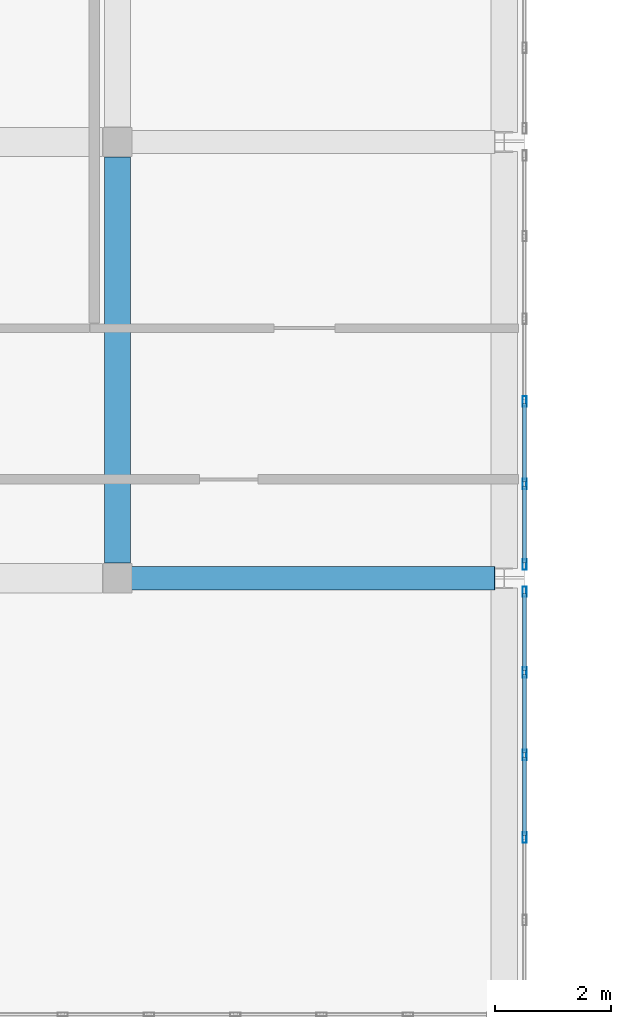
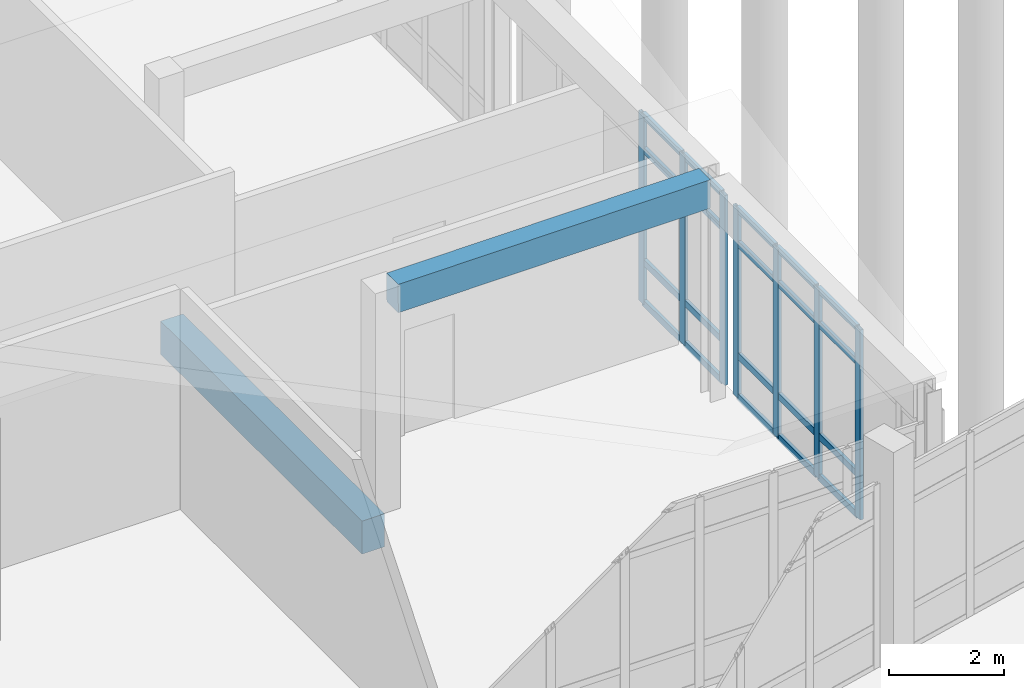
# One storey, part 104 of 173: 27 members, 2 beams, 2 elements without a shape of their own.
"""IFC4 building model written with IfcOpenShell, lengths in metres."""

from ifc_helpers import new_model, si_unit, direction, frame, origin, origin_2d, place, context, subcontext, project, spatial, rectangle, hollow_rectangle, extrude, material, layer, layer_set, material_profile, profile_set, type_object, element, aggregate, save


model = new_model("IFC4")

# Units and contexts
model_context = context("Model", 3, precision=1e-05, world=origin(), true_north=direction((0.0, 1.0)))
body_context = subcontext(model_context, "Body", "Model", "MODEL_VIEW")
ifc_project = project(units=[si_unit("LENGTHUNIT", "METRE"), si_unit("AREAUNIT", "SQUARE_METRE"), si_unit("VOLUMEUNIT", "CUBIC_METRE"), si_unit("PLANEANGLEUNIT", "RADIAN"), si_unit("MASSUNIT", "GRAM", prefix="KILO")], contexts=[model_context])

# Site, building, storey
site_placement = place(None, origin())
site = spatial("IfcSite", under=ifc_project, at=site_placement, CompositionType="ELEMENT")
building_placement = place(site_placement, origin())
building = spatial("IfcBuilding", under=site, at=building_placement, Name="Mawjan Specialist Oncology Clinic", CompositionType="ELEMENT")
storey_placement = place(building_placement, origin())
storey = spatial("IfcBuildingStorey", under=building, at=storey_placement, Name="L00", CompositionType="ELEMENT", Elevation=0.0)

# Beams
ifc_material_1 = material(Name="Concrete C40/50", Category="concrete")
ifc_material_profile_1 = material_profile(ifc_material_1, rectangle(XDim=0.39990234375, YDim=0.60009765625, at=origin_2d()), Name="RC BM 400x600", Category="concrete")
ifc_profile_set_1 = profile_set([ifc_material_profile_1], Name="Concrete C40/50")
beam_type_1 = type_object("IfcBeamType", Name="BM-400x600", PredefinedType="BEAM", material=ifc_profile_set_1)
beam_1_placement = place(storey_placement, frame((132.235107421875, 53.300048828125, 4.404052734375), z_axis=(0.999989377, 0.0, 0.004609326035), x_axis=(0.0, 1.0, 0.0)))
element("IfcBeam", 1, at=beam_1_placement, inside=storey, type_object=beam_type_1, Name="L00 Roof Framing Beam BM-RF-L00-1250", PredefinedType="BEAM", context=body_context, shape_type="SweptSolid", body=[
    extrude(rectangle(XDim=0.39990234375, YDim=0.60009765625, at=origin_2d()), origin(), (0.0, 0.0, 1.0), 6.25),
])
ifc_material_2 = material(Name="Concrete C40/50", Category="concrete")
ifc_material_profile_2 = material_profile(ifc_material_2, rectangle(XDim=0.449951171875, YDim=0.699951171875, at=origin_2d()), Name="RC BM 450x700", Category="concrete")
ifc_profile_set_2 = profile_set([ifc_material_profile_2], Name="Concrete C40/50")
beam_type_2 = type_object("IfcBeamType", Name="BM-450x700", PredefinedType="BEAM", material=ifc_profile_set_2)
beam_2_placement = place(storey_placement, frame((132.0, 53.56005859375, -0.77001953125), z_axis=(0.0, 1.0, 0.0), x_axis=(-1.0, 0.0, 0.0)))
element("IfcBeam", 2, at=beam_2_placement, inside=storey, type_object=beam_type_2, Name="L00 Collector Beam BM-L00-0194", PredefinedType="BEAM", context=body_context, shape_type="SweptSolid", body=[
    extrude(rectangle(XDim=0.449951171875, YDim=0.699951171875, at=origin_2d()), origin(), (0.0, 0.0, 1.0), 6.97998046875),
])

# Curtain wall, members
ifc_material_3 = material(Name="Unitised spectrally selective aluminium curtain wall", Category="aluminium")
ifc_layer = layer(ifc_material_3, 0.179931640625, Name="Unitised spectrally selective aluminium curtain wall", Category="aluminium")
ifc_layer_set = layer_set([ifc_layer], Name="Unitised spectrally selective aluminium curtain wall")
curtain_wall_type = type_object("IfcCurtainWallType", Name="CW-19", PredefinedType="NOTDEFINED", material=ifc_layer_set)
curtain_wall_1_placement = place(storey_placement, origin())
curtain_wall_1 = element("IfcCurtainWall", 3, at=curtain_wall_1_placement, inside=storey, type_object=curtain_wall_type, Name="L00 Unitised Curtain Wall CW-L00-034", PredefinedType="NOTDEFINED")
ifc_material_4 = material(Name="Thermally broken aluminium 6063-T6", Category="aluminium")
ifc_material_profile_3 = material_profile(ifc_material_4, hollow_rectangle(XDim=0.06494140625, YDim=0.179931640625, WallThickness=0.00390625, at=origin_2d()), Name="ALU MULLION 180x65x4", Category="aluminium")
ifc_profile_set_3 = profile_set([ifc_material_profile_3], Name="Thermally broken aluminium 6063-T6")
member_type_1 = type_object("IfcMemberType", Name="CW-M180", PredefinedType="MULLION", material=ifc_profile_set_3)
member_1_placement = place(storey_placement, frame((139.0, 56.340087890625, 0.0), z_axis=(0.0, 0.0, 1.0), x_axis=(1.0, 0.0, 0.0)))
member_1 = element("IfcMember", 4, at=member_1_placement, type_object=member_type_1, Name="CW-19 mullion 4", PredefinedType="MULLION", context=body_context, shape_type="SweptSolid", body=[
    extrude(hollow_rectangle(XDim=0.06494140625, YDim=0.179931640625, WallThickness=0.00390625, at=origin_2d()), origin(), (0.0, 0.0, 1.0), 4.017822265625),
])
member_2_placement = place(storey_placement, frame((139.0, 54.919921875, 0.0), z_axis=(0.0, 0.0, 1.0), x_axis=(1.0, 0.0, 0.0)))
member_2 = element("IfcMember", 5, at=member_2_placement, type_object=member_type_1, Name="CW-19 mullion 5", PredefinedType="MULLION", context=body_context, shape_type="SweptSolid", body=[
    extrude(hollow_rectangle(XDim=0.06494140625, YDim=0.179931640625, WallThickness=0.00390625, at=origin_2d()), origin(), (0.0, 0.0, 1.0), 4.017822265625),
])
member_3_placement = place(storey_placement, frame((139.0, 53.532470703125, 0.0), z_axis=(0.0, 0.0, 1.0), x_axis=(1.0, 0.0, 0.0)))
member_3 = element("IfcMember", 6, at=member_3_placement, type_object=member_type_1, Name="CW-19 mullion 6", PredefinedType="MULLION", context=body_context, shape_type="SweptSolid", body=[
    extrude(hollow_rectangle(XDim=0.06494140625, YDim=0.179931640625, WallThickness=0.00390625, at=origin_2d()), origin(), (0.0, 0.0, 1.0), 4.017822265625),
])

curtain_wall_2_placement = place(storey_placement, origin())
curtain_wall_2 = element("IfcCurtainWall", 7, at=curtain_wall_2_placement, inside=storey, type_object=curtain_wall_type, Name="L00 Unitised Curtain Wall CW-L00-035", PredefinedType="NOTDEFINED")
member_4_placement = place(storey_placement, frame((139.0, 53.0673828125, 0.0), z_axis=(0.0, 0.0, 1.0), x_axis=(1.0, 0.0, 0.0)))
member_4 = element("IfcMember", 8, at=member_4_placement, type_object=member_type_1, Name="CW-19 mullion 1", PredefinedType="MULLION", context=body_context, shape_type="SweptSolid", body=[
    extrude(hollow_rectangle(XDim=0.06494140625, YDim=0.179931640625, WallThickness=0.00390625, at=origin_2d()), origin(), (0.0, 0.0, 1.0), 4.017822265625),
])
member_5_placement = place(storey_placement, frame((139.0, 51.679931640625, 0.0), z_axis=(0.0, 0.0, 1.0), x_axis=(1.0, 0.0, 0.0)))
member_5 = element("IfcMember", 9, at=member_5_placement, type_object=member_type_1, Name="CW-19 mullion 2", PredefinedType="MULLION", context=body_context, shape_type="SweptSolid", body=[
    extrude(hollow_rectangle(XDim=0.06494140625, YDim=0.179931640625, WallThickness=0.00390625, at=origin_2d()), origin(), (0.0, 0.0, 1.0), 4.017822265625),
])
member_6_placement = place(storey_placement, frame((139.0, 50.260009765625, 0.0), z_axis=(0.0, 0.0, 1.0), x_axis=(1.0, 0.0, 0.0)))
member_6 = element("IfcMember", 10, at=member_6_placement, type_object=member_type_1, Name="CW-19 mullion 3", PredefinedType="MULLION", context=body_context, shape_type="SweptSolid", body=[
    extrude(hollow_rectangle(XDim=0.06494140625, YDim=0.179931640625, WallThickness=0.00390625, at=origin_2d()), origin(), (0.0, 0.0, 1.0), 4.017822265625),
])
member_7_placement = place(storey_placement, frame((139.0, 48.840087890625, 0.0), z_axis=(0.0, 0.0, 1.0), x_axis=(1.0, 0.0, 0.0)))
member_7 = element("IfcMember", 11, at=member_7_placement, type_object=member_type_1, Name="CW-19 mullion 4", PredefinedType="MULLION", context=body_context, shape_type="SweptSolid", body=[
    extrude(hollow_rectangle(XDim=0.06494140625, YDim=0.179931640625, WallThickness=0.00390625, at=origin_2d()), origin(), (0.0, 0.0, 1.0), 4.017822265625),
])

# Member
ifc_material_5 = material(Name="Thermally broken aluminium 6063-T6", Category="aluminium")
ifc_material_profile_4 = material_profile(ifc_material_5, hollow_rectangle(XDim=0.06494140625, YDim=0.139892578125, WallThickness=0.00390625, at=origin_2d()), Name="ALU TRANSOM 140x65x4", Category="aluminium")
ifc_profile_set_4 = profile_set([ifc_material_profile_4], Name="Thermally broken aluminium 6063-T6")
member_type_2 = type_object("IfcMemberType", Name="CW-T140", PredefinedType="USERDEFINED", material=ifc_profile_set_4)
member_8_placement = place(storey_placement, frame((139.0, 56.3076171875, 0.032470703125), z_axis=(0.0, -1.0, 0.0), x_axis=(1.0, 0.0, 0.0)))
member_8 = element("IfcMember", 12, at=member_8_placement, type_object=member_type_2, Name="CW-19 transom 4.1", ObjectType="TRANSOM", PredefinedType="USERDEFINED", context=body_context, shape_type="SweptSolid", body=[
    extrude(hollow_rectangle(XDim=0.06494140625, YDim=0.139892578125, WallThickness=0.00390625, at=origin_2d()), origin(), (0.0, 0.0, 1.0), 1.355224609375),
])

member_9_placement = place(storey_placement, frame((139.0, 56.3076171875, 0.89990234375), z_axis=(0.0, -1.0, 0.0), x_axis=(1.0, 0.0, 0.0)))
member_9 = element("IfcMember", 13, at=member_9_placement, type_object=member_type_2, Name="CW-19 transom 4.2", ObjectType="TRANSOM", PredefinedType="USERDEFINED", context=body_context, shape_type="SweptSolid", body=[
    extrude(hollow_rectangle(XDim=0.06494140625, YDim=0.139892578125, WallThickness=0.00390625, at=origin_2d()), origin(), (0.0, 0.0, 1.0), 1.355224609375),
])

member_10_placement = place(storey_placement, frame((139.0, 56.3076171875, 3.267822265625), z_axis=(0.0, -1.0, 0.0), x_axis=(1.0, 0.0, 0.0)))
member_10 = element("IfcMember", 14, at=member_10_placement, type_object=member_type_2, Name="CW-19 transom 4.3", ObjectType="TRANSOM", PredefinedType="USERDEFINED", context=body_context, shape_type="SweptSolid", body=[
    extrude(hollow_rectangle(XDim=0.06494140625, YDim=0.139892578125, WallThickness=0.00390625, at=origin_2d()), origin(), (0.0, 0.0, 1.0), 1.355224609375),
])

member_11_placement = place(storey_placement, frame((139.0, 56.3076171875, 3.9853515625), z_axis=(0.0, -1.0, 0.0), x_axis=(1.0, 0.0, 0.0)))
member_11 = element("IfcMember", 15, at=member_11_placement, type_object=member_type_2, Name="CW-19 transom 4.4", ObjectType="TRANSOM", PredefinedType="USERDEFINED", context=body_context, shape_type="SweptSolid", body=[
    extrude(hollow_rectangle(XDim=0.06494140625, YDim=0.139892578125, WallThickness=0.00390625, at=origin_2d()), origin(), (0.0, 0.0, 1.0), 1.355224609375),
])

member_12_placement = place(storey_placement, frame((139.0, 54.887451171875, 0.032470703125), z_axis=(0.0, -1.0, 0.0), x_axis=(1.0, 0.0, 0.0)))
member_12 = element("IfcMember", 16, at=member_12_placement, type_object=member_type_2, Name="CW-19 transom 5.1", ObjectType="TRANSOM", PredefinedType="USERDEFINED", context=body_context, shape_type="SweptSolid", body=[
    extrude(hollow_rectangle(XDim=0.06494140625, YDim=0.139892578125, WallThickness=0.00390625, at=origin_2d()), origin(), (0.0, 0.0, 1.0), 1.322509765625),
])

member_13_placement = place(storey_placement, frame((139.0, 54.887451171875, 0.89990234375), z_axis=(0.0, -1.0, 0.0), x_axis=(1.0, 0.0, 0.0)))
member_13 = element("IfcMember", 17, at=member_13_placement, type_object=member_type_2, Name="CW-19 transom 5.2", ObjectType="TRANSOM", PredefinedType="USERDEFINED", context=body_context, shape_type="SweptSolid", body=[
    extrude(hollow_rectangle(XDim=0.06494140625, YDim=0.139892578125, WallThickness=0.00390625, at=origin_2d()), origin(), (0.0, 0.0, 1.0), 1.322509765625),
])

member_14_placement = place(storey_placement, frame((139.0, 54.887451171875, 3.267822265625), z_axis=(0.0, -1.0, 0.0), x_axis=(1.0, 0.0, 0.0)))
member_14 = element("IfcMember", 18, at=member_14_placement, type_object=member_type_2, Name="CW-19 transom 5.3", ObjectType="TRANSOM", PredefinedType="USERDEFINED", context=body_context, shape_type="SweptSolid", body=[
    extrude(hollow_rectangle(XDim=0.06494140625, YDim=0.139892578125, WallThickness=0.00390625, at=origin_2d()), origin(), (0.0, 0.0, 1.0), 1.322509765625),
])

member_15_placement = place(storey_placement, frame((139.0, 54.887451171875, 3.9853515625), z_axis=(0.0, -1.0, 0.0), x_axis=(1.0, 0.0, 0.0)))
member_15 = element("IfcMember", 19, at=member_15_placement, type_object=member_type_2, Name="CW-19 transom 5.4", ObjectType="TRANSOM", PredefinedType="USERDEFINED", context=body_context, shape_type="SweptSolid", body=[
    extrude(hollow_rectangle(XDim=0.06494140625, YDim=0.139892578125, WallThickness=0.00390625, at=origin_2d()), origin(), (0.0, 0.0, 1.0), 1.322509765625),
])

aggregate(curtain_wall_1, [member_1, member_2, member_3, member_8, member_9, member_10, member_11, member_12, member_13, member_14, member_15])

member_16_placement = place(storey_placement, frame((139.0, 53.034912109375, 0.032470703125), z_axis=(0.0, -1.0, 0.0), x_axis=(1.0, 0.0, 0.0)))
member_16 = element("IfcMember", 20, at=member_16_placement, type_object=member_type_2, Name="CW-19 transom 1.1", ObjectType="TRANSOM", PredefinedType="USERDEFINED", context=body_context, shape_type="SweptSolid", body=[
    extrude(hollow_rectangle(XDim=0.06494140625, YDim=0.139892578125, WallThickness=0.00390625, at=origin_2d()), origin(), (0.0, 0.0, 1.0), 1.322509765625),
])

member_17_placement = place(storey_placement, frame((139.0, 53.034912109375, 0.89990234375), z_axis=(0.0, -1.0, 0.0), x_axis=(1.0, 0.0, 0.0)))
member_17 = element("IfcMember", 21, at=member_17_placement, type_object=member_type_2, Name="CW-19 transom 1.2", ObjectType="TRANSOM", PredefinedType="USERDEFINED", context=body_context, shape_type="SweptSolid", body=[
    extrude(hollow_rectangle(XDim=0.06494140625, YDim=0.139892578125, WallThickness=0.00390625, at=origin_2d()), origin(), (0.0, 0.0, 1.0), 1.322509765625),
])

member_18_placement = place(storey_placement, frame((139.0, 53.034912109375, 3.267822265625), z_axis=(0.0, -1.0, 0.0), x_axis=(1.0, 0.0, 0.0)))
member_18 = element("IfcMember", 22, at=member_18_placement, type_object=member_type_2, Name="CW-19 transom 1.3", ObjectType="TRANSOM", PredefinedType="USERDEFINED", context=body_context, shape_type="SweptSolid", body=[
    extrude(hollow_rectangle(XDim=0.06494140625, YDim=0.139892578125, WallThickness=0.00390625, at=origin_2d()), origin(), (0.0, 0.0, 1.0), 1.322509765625),
])

member_19_placement = place(storey_placement, frame((139.0, 53.034912109375, 3.9853515625), z_axis=(0.0, -1.0, 0.0), x_axis=(1.0, 0.0, 0.0)))
member_19 = element("IfcMember", 23, at=member_19_placement, type_object=member_type_2, Name="CW-19 transom 1.4", ObjectType="TRANSOM", PredefinedType="USERDEFINED", context=body_context, shape_type="SweptSolid", body=[
    extrude(hollow_rectangle(XDim=0.06494140625, YDim=0.139892578125, WallThickness=0.00390625, at=origin_2d()), origin(), (0.0, 0.0, 1.0), 1.322509765625),
])

member_20_placement = place(storey_placement, frame((139.0, 51.6474609375, 0.032470703125), z_axis=(0.0, -1.0, 0.0), x_axis=(1.0, 0.0, 0.0)))
member_20 = element("IfcMember", 24, at=member_20_placement, type_object=member_type_2, Name="CW-19 transom 2.1", ObjectType="TRANSOM", PredefinedType="USERDEFINED", context=body_context, shape_type="SweptSolid", body=[
    extrude(hollow_rectangle(XDim=0.06494140625, YDim=0.139892578125, WallThickness=0.00390625, at=origin_2d()), origin(), (0.0, 0.0, 1.0), 1.35498046875),
])

member_21_placement = place(storey_placement, frame((139.0, 51.6474609375, 0.89990234375), z_axis=(0.0, -1.0, 0.0), x_axis=(1.0, 0.0, 0.0)))
member_21 = element("IfcMember", 25, at=member_21_placement, type_object=member_type_2, Name="CW-19 transom 2.2", ObjectType="TRANSOM", PredefinedType="USERDEFINED", context=body_context, shape_type="SweptSolid", body=[
    extrude(hollow_rectangle(XDim=0.06494140625, YDim=0.139892578125, WallThickness=0.00390625, at=origin_2d()), origin(), (0.0, 0.0, 1.0), 1.35498046875),
])

member_22_placement = place(storey_placement, frame((139.0, 51.6474609375, 3.267822265625), z_axis=(0.0, -1.0, 0.0), x_axis=(1.0, 0.0, 0.0)))
member_22 = element("IfcMember", 26, at=member_22_placement, type_object=member_type_2, Name="CW-19 transom 2.3", ObjectType="TRANSOM", PredefinedType="USERDEFINED", context=body_context, shape_type="SweptSolid", body=[
    extrude(hollow_rectangle(XDim=0.06494140625, YDim=0.139892578125, WallThickness=0.00390625, at=origin_2d()), origin(), (0.0, 0.0, 1.0), 1.35498046875),
])

member_23_placement = place(storey_placement, frame((139.0, 51.6474609375, 3.9853515625), z_axis=(0.0, -1.0, 0.0), x_axis=(1.0, 0.0, 0.0)))
member_23 = element("IfcMember", 27, at=member_23_placement, type_object=member_type_2, Name="CW-19 transom 2.4", ObjectType="TRANSOM", PredefinedType="USERDEFINED", context=body_context, shape_type="SweptSolid", body=[
    extrude(hollow_rectangle(XDim=0.06494140625, YDim=0.139892578125, WallThickness=0.00390625, at=origin_2d()), origin(), (0.0, 0.0, 1.0), 1.35498046875),
])

member_24_placement = place(storey_placement, frame((139.0, 50.2275390625, 0.032470703125), z_axis=(0.0, -1.0, 0.0), x_axis=(1.0, 0.0, 0.0)))
member_24 = element("IfcMember", 28, at=member_24_placement, type_object=member_type_2, Name="CW-19 transom 3.1", ObjectType="TRANSOM", PredefinedType="USERDEFINED", context=body_context, shape_type="SweptSolid", body=[
    extrude(hollow_rectangle(XDim=0.06494140625, YDim=0.139892578125, WallThickness=0.00390625, at=origin_2d()), origin(), (0.0, 0.0, 1.0), 1.35498046875),
])

member_25_placement = place(storey_placement, frame((139.0, 50.2275390625, 0.89990234375), z_axis=(0.0, -1.0, 0.0), x_axis=(1.0, 0.0, 0.0)))
member_25 = element("IfcMember", 29, at=member_25_placement, type_object=member_type_2, Name="CW-19 transom 3.2", ObjectType="TRANSOM", PredefinedType="USERDEFINED", context=body_context, shape_type="SweptSolid", body=[
    extrude(hollow_rectangle(XDim=0.06494140625, YDim=0.139892578125, WallThickness=0.00390625, at=origin_2d()), origin(), (0.0, 0.0, 1.0), 1.35498046875),
])

member_26_placement = place(storey_placement, frame((139.0, 50.2275390625, 3.267822265625), z_axis=(0.0, -1.0, 0.0), x_axis=(1.0, 0.0, 0.0)))
member_26 = element("IfcMember", 30, at=member_26_placement, type_object=member_type_2, Name="CW-19 transom 3.3", ObjectType="TRANSOM", PredefinedType="USERDEFINED", context=body_context, shape_type="SweptSolid", body=[
    extrude(hollow_rectangle(XDim=0.06494140625, YDim=0.139892578125, WallThickness=0.00390625, at=origin_2d()), origin(), (0.0, 0.0, 1.0), 1.35498046875),
])

member_27_placement = place(storey_placement, frame((139.0, 50.2275390625, 3.9853515625), z_axis=(0.0, -1.0, 0.0), x_axis=(1.0, 0.0, 0.0)))
member_27 = element("IfcMember", 31, at=member_27_placement, type_object=member_type_2, Name="CW-19 transom 3.4", ObjectType="TRANSOM", PredefinedType="USERDEFINED", context=body_context, shape_type="SweptSolid", body=[
    extrude(hollow_rectangle(XDim=0.06494140625, YDim=0.139892578125, WallThickness=0.00390625, at=origin_2d()), origin(), (0.0, 0.0, 1.0), 1.35498046875),
])

aggregate(curtain_wall_2, [member_4, member_5, member_6, member_7, member_16, member_17, member_18, member_19, member_20, member_21, member_22, member_23, member_24, member_25, member_26, member_27])

save(model, "model.ifc")
